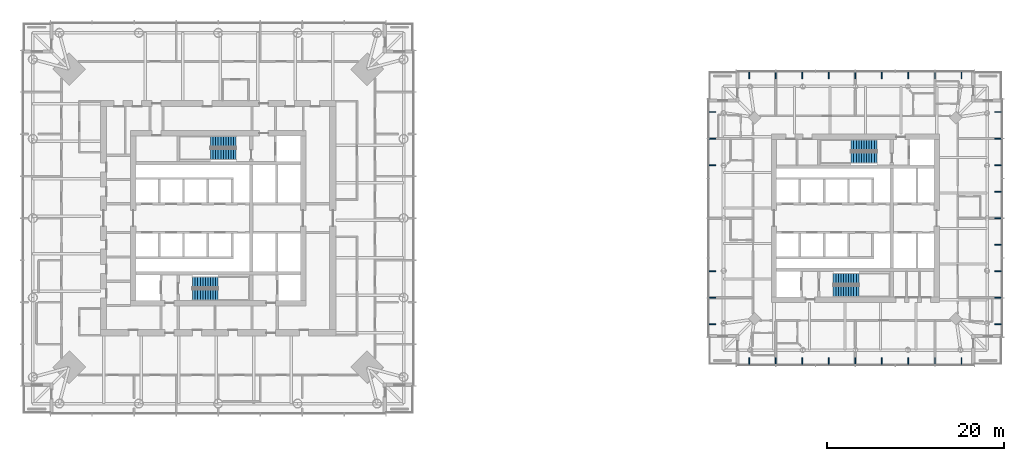
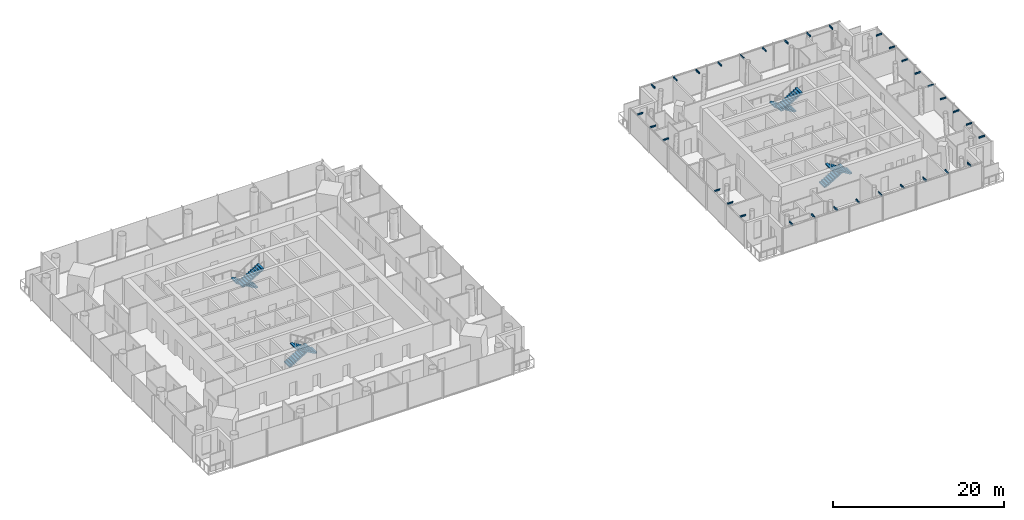
# One storey, part 17 of 19: 33 discrete accessories, 8 stair flights, 4 elements without a shape of their own.
"""IFC4 building model written with IfcOpenShell, lengths in metres."""

from ifc_helpers import new_model, si_unit, direction, frame, origin, origin_2d, place, context, subcontext, project, spatial, polyline, rectangle, outline, extrude, material, type_object, element, aggregate, save


model = new_model("IFC4")

# Units and contexts
model_context = context("Model", 3, precision=1e-05, world=origin(), true_north=direction((0.0, 1.0)))
body_context = subcontext(model_context, "Body", "Model", "MODEL_VIEW")
ifc_project = project(units=[si_unit("LENGTHUNIT", "METRE"), si_unit("AREAUNIT", "SQUARE_METRE"), si_unit("VOLUMEUNIT", "CUBIC_METRE"), si_unit("PLANEANGLEUNIT", "RADIAN"), si_unit("MASSUNIT", "GRAM", prefix="KILO")], contexts=[model_context])

# Site, building, storey
site_placement = place(None, origin())
site = spatial("IfcSite", under=ifc_project, at=site_placement, CompositionType="ELEMENT")
building_placement = place(site_placement, origin())
building = spatial("IfcBuilding", under=site, at=building_placement, Name="Ostroluk Exchange", CompositionType="ELEMENT")
storey_placement = place(building_placement, frame((0.0, 0.0, 116.0)))
storey = spatial("IfcBuildingStorey", under=building, at=storey_placement, Name="L29", CompositionType="ELEMENT", Elevation=116.0)

# Stair, stair flights
ifc_material_1 = material(Name="Concrete C30/37", Category="concrete")
stair_type = type_object("IfcStairType", Name="Exit stair half turn 3800", PredefinedType="HALF_TURN_STAIR", material=ifc_material_1)
stair_1_placement = place(storey_placement, origin())
stair_1 = element("IfcStair", 1, at=stair_1_placement, inside=storey, type_object=stair_type, Name="Stair T1-S1 L29", PredefinedType="HALF_TURN_STAIR")
ifc_material_2 = material(Name="Concrete C30/37", Category="concrete")
stair_flight_type = type_object("IfcStairFlightType", Name="Stair flight 11 risers 172.7 x 290", PredefinedType="STRAIGHT", material=ifc_material_2)
stair_flight_1_placement = place(storey_placement, frame((42.10009765625, 38.77490234375, 0.0), z_axis=(0.0, 0.0, 1.0), x_axis=(1.0, 0.0, 0.0)))
stair_flight_1 = element("IfcStairFlight", 2, at=stair_flight_1_placement, type_object=stair_flight_type, Name="T1-S1 flight 1", NumberOfRisers=11, NumberOfTreads=10, PredefinedType="STRAIGHT", RiserHeight=0.172727273, TreadLength=0.29, context=body_context, shape_type="SweptSolid", body=[
    extrude(outline(polyline([(0.0, 0.0), (0.0, 0.172607421875), (0.2900390625, 0.172607421875), (0.2900390625, 0.345458984375), (0.580078125, 0.345458984375), (0.580078125, 0.51806640625), (0.8701171875, 0.51806640625), (0.8701171875, 0.69091796875), (1.159912109375, 0.69091796875), (1.159912109375, 0.863525390625), (1.449951171875, 0.863525390625), (1.449951171875, 1.036376953125), (1.739990234375, 1.036376953125), (1.739990234375, 1.208984375), (2.030029296875, 1.208984375), (2.030029296875, 1.3818359375), (2.320068359375, 1.3818359375), (2.320068359375, 1.554443359375), (2.610107421875, 1.554443359375), (2.610107421875, 1.727294921875), (2.89990234375, 1.727294921875), (2.89990234375, 1.89990234375), (2.89990234375, 1.552734375), (0.29296875, 0.0), (0.0, 0.0)])), frame((0.0, 0.625, 0.0), z_axis=(0.0, -1.0, 0.0), x_axis=(1.0, 0.0, 0.0)), (0.0, 0.0, 1.0), 1.25),
])
stair_flight_2_placement = place(storey_placement, frame((45.0, 37.324951171875, 1.89990234375), z_axis=(0.0, 0.0, 1.0), x_axis=(-1.0, 0.0, 0.0)))
stair_flight_2 = element("IfcStairFlight", 3, at=stair_flight_2_placement, type_object=stair_flight_type, Name="T1-S1 flight 2", NumberOfRisers=11, NumberOfTreads=10, PredefinedType="STRAIGHT", RiserHeight=0.172727273, TreadLength=0.29, context=body_context, shape_type="SweptSolid", body=[
    extrude(outline(polyline([(0.0, 0.0), (0.0, 0.172607421875), (0.2900390625, 0.172607421875), (0.2900390625, 0.345458984375), (0.580078125, 0.345458984375), (0.580078125, 0.51806640625), (0.8701171875, 0.51806640625), (0.8701171875, 0.69091796875), (1.159912109375, 0.69091796875), (1.159912109375, 0.863525390625), (1.449951171875, 0.863525390625), (1.449951171875, 1.036376953125), (1.739990234375, 1.036376953125), (1.739990234375, 1.208984375), (2.030029296875, 1.208984375), (2.030029296875, 1.3818359375), (2.320068359375, 1.3818359375), (2.320068359375, 1.554443359375), (2.610107421875, 1.554443359375), (2.610107421875, 1.727294921875), (2.89990234375, 1.727294921875), (2.89990234375, 1.89990234375), (2.89990234375, 1.552734375), (0.29296875, 0.0), (0.0, 0.0)])), frame((0.0, 0.625, 0.0), z_axis=(0.0, -1.0, 0.0), x_axis=(1.0, 0.0, 0.0)), (0.0, 0.0, 1.0), 1.25),
])
aggregate(stair_1, [stair_flight_1, stair_flight_2])

stair_2_placement = place(storey_placement, origin())
stair_2 = element("IfcStair", 4, at=stair_2_placement, inside=storey, type_object=stair_type, Name="Stair T1-S2 L29", PredefinedType="HALF_TURN_STAIR")
stair_flight_3_placement = place(storey_placement, frame((47.030029296875, 54.675048828125, 0.0), z_axis=(0.0, 0.0, 1.0), x_axis=(-1.0, 0.0, 0.0)))
stair_flight_3 = element("IfcStairFlight", 5, at=stair_flight_3_placement, type_object=stair_flight_type, Name="T1-S2 flight 1", NumberOfRisers=11, NumberOfTreads=10, PredefinedType="STRAIGHT", RiserHeight=0.172727273, TreadLength=0.29, context=body_context, shape_type="SweptSolid", body=[
    extrude(outline(polyline([(0.0, 0.0), (0.0, 0.172607421875), (0.2900390625, 0.172607421875), (0.2900390625, 0.345458984375), (0.580078125, 0.345458984375), (0.580078125, 0.51806640625), (0.8701171875, 0.51806640625), (0.8701171875, 0.69091796875), (1.159912109375, 0.69091796875), (1.159912109375, 0.863525390625), (1.449951171875, 0.863525390625), (1.449951171875, 1.036376953125), (1.739990234375, 1.036376953125), (1.739990234375, 1.208984375), (2.030029296875, 1.208984375), (2.030029296875, 1.3818359375), (2.320068359375, 1.3818359375), (2.320068359375, 1.554443359375), (2.610107421875, 1.554443359375), (2.610107421875, 1.727294921875), (2.89990234375, 1.727294921875), (2.89990234375, 1.89990234375), (2.89990234375, 1.552734375), (0.29296875, 0.0), (0.0, 0.0)])), frame((0.0, 0.625, 0.0), z_axis=(0.0, -1.0, 0.0), x_axis=(1.0, 0.0, 0.0)), (0.0, 0.0, 1.0), 1.25),
])
stair_flight_4_placement = place(storey_placement, frame((44.1298828125, 53.22509765625, 1.89990234375), z_axis=(0.0, 0.0, 1.0), x_axis=(1.0, 0.0, 0.0)))
stair_flight_4 = element("IfcStairFlight", 6, at=stair_flight_4_placement, type_object=stair_flight_type, Name="T1-S2 flight 2", NumberOfRisers=11, NumberOfTreads=10, PredefinedType="STRAIGHT", RiserHeight=0.172727273, TreadLength=0.29, context=body_context, shape_type="SweptSolid", body=[
    extrude(outline(polyline([(0.0, 0.0), (0.0, 0.172607421875), (0.2900390625, 0.172607421875), (0.2900390625, 0.345458984375), (0.580078125, 0.345458984375), (0.580078125, 0.51806640625), (0.8701171875, 0.51806640625), (0.8701171875, 0.69091796875), (1.159912109375, 0.69091796875), (1.159912109375, 0.863525390625), (1.449951171875, 0.863525390625), (1.449951171875, 1.036376953125), (1.739990234375, 1.036376953125), (1.739990234375, 1.208984375), (2.030029296875, 1.208984375), (2.030029296875, 1.3818359375), (2.320068359375, 1.3818359375), (2.320068359375, 1.554443359375), (2.610107421875, 1.554443359375), (2.610107421875, 1.727294921875), (2.89990234375, 1.727294921875), (2.89990234375, 1.89990234375), (2.89990234375, 1.552734375), (0.29296875, 0.0), (0.0, 0.0)])), frame((0.0, 0.625, 0.0), z_axis=(0.0, -1.0, 0.0), x_axis=(1.0, 0.0, 0.0)), (0.0, 0.0, 1.0), 1.25),
])
aggregate(stair_2, [stair_flight_3, stair_flight_4])

stair_3_placement = place(storey_placement, origin())
stair_3 = element("IfcStair", 7, at=stair_3_placement, inside=storey, type_object=stair_type, Name="Stair T2-S1 L29", PredefinedType="HALF_TURN_STAIR")
stair_flight_5_placement = place(storey_placement, frame((114.5, 39.175048828125, 0.0), z_axis=(0.0, 0.0, 1.0), x_axis=(1.0, 0.0, 0.0)))
stair_flight_5 = element("IfcStairFlight", 8, at=stair_flight_5_placement, type_object=stair_flight_type, Name="T2-S1 flight 1", NumberOfRisers=11, NumberOfTreads=10, PredefinedType="STRAIGHT", RiserHeight=0.172727273, TreadLength=0.29, context=body_context, shape_type="SweptSolid", body=[
    extrude(outline(polyline([(0.0, 0.0), (0.0, 0.172607421875), (0.2900390625, 0.172607421875), (0.2900390625, 0.345458984375), (0.580078125, 0.345458984375), (0.580078125, 0.51806640625), (0.8701171875, 0.51806640625), (0.8701171875, 0.69091796875), (1.159912109375, 0.69091796875), (1.159912109375, 0.863525390625), (1.449951171875, 0.863525390625), (1.449951171875, 1.036376953125), (1.739990234375, 1.036376953125), (1.739990234375, 1.208984375), (2.030029296875, 1.208984375), (2.030029296875, 1.3818359375), (2.320068359375, 1.3818359375), (2.320068359375, 1.554443359375), (2.610107421875, 1.554443359375), (2.610107421875, 1.727294921875), (2.89990234375, 1.727294921875), (2.89990234375, 1.89990234375), (2.89990234375, 1.552734375), (0.29296875, 0.0), (0.0, 0.0)])), frame((0.0, 0.625, 0.0), z_axis=(0.0, -1.0, 0.0), x_axis=(1.0, 0.0, 0.0)), (0.0, 0.0, 1.0), 1.25),
])
stair_flight_6_placement = place(storey_placement, frame((117.39990234375, 37.72509765625, 1.89990234375), z_axis=(0.0, 0.0, 1.0), x_axis=(-1.0, 0.0, 0.0)))
stair_flight_6 = element("IfcStairFlight", 9, at=stair_flight_6_placement, type_object=stair_flight_type, Name="T2-S1 flight 2", NumberOfRisers=11, NumberOfTreads=10, PredefinedType="STRAIGHT", RiserHeight=0.172727273, TreadLength=0.29, context=body_context, shape_type="SweptSolid", body=[
    extrude(outline(polyline([(0.0, 0.0), (0.0, 0.172607421875), (0.2900390625, 0.172607421875), (0.2900390625, 0.345458984375), (0.580078125, 0.345458984375), (0.580078125, 0.51806640625), (0.8701171875, 0.51806640625), (0.8701171875, 0.69091796875), (1.159912109375, 0.69091796875), (1.159912109375, 0.863525390625), (1.449951171875, 0.863525390625), (1.449951171875, 1.036376953125), (1.739990234375, 1.036376953125), (1.739990234375, 1.208984375), (2.030029296875, 1.208984375), (2.030029296875, 1.3818359375), (2.320068359375, 1.3818359375), (2.320068359375, 1.554443359375), (2.610107421875, 1.554443359375), (2.610107421875, 1.727294921875), (2.89990234375, 1.727294921875), (2.89990234375, 1.89990234375), (2.89990234375, 1.552734375), (0.29296875, 0.0), (0.0, 0.0)])), frame((0.0, 0.625, 0.0), z_axis=(0.0, -1.0, 0.0), x_axis=(1.0, 0.0, 0.0)), (0.0, 0.0, 1.0), 1.25),
])
aggregate(stair_3, [stair_flight_5, stair_flight_6])

stair_4_placement = place(storey_placement, origin())
stair_4 = element("IfcStair", 10, at=stair_4_placement, inside=storey, type_object=stair_type, Name="Stair T2-S2 L29", PredefinedType="HALF_TURN_STAIR")
stair_flight_7_placement = place(storey_placement, frame((119.429931640625, 54.27490234375, 0.0), z_axis=(0.0, 0.0, 1.0), x_axis=(-1.0, 0.0, 0.0)))
stair_flight_7 = element("IfcStairFlight", 11, at=stair_flight_7_placement, type_object=stair_flight_type, Name="T2-S2 flight 1", NumberOfRisers=11, NumberOfTreads=10, PredefinedType="STRAIGHT", RiserHeight=0.172727273, TreadLength=0.29, context=body_context, shape_type="SweptSolid", body=[
    extrude(outline(polyline([(0.0, 0.0), (0.0, 0.172607421875), (0.2900390625, 0.172607421875), (0.2900390625, 0.345458984375), (0.580078125, 0.345458984375), (0.580078125, 0.51806640625), (0.8701171875, 0.51806640625), (0.8701171875, 0.69091796875), (1.159912109375, 0.69091796875), (1.159912109375, 0.863525390625), (1.449951171875, 0.863525390625), (1.449951171875, 1.036376953125), (1.739990234375, 1.036376953125), (1.739990234375, 1.208984375), (2.030029296875, 1.208984375), (2.030029296875, 1.3818359375), (2.320068359375, 1.3818359375), (2.320068359375, 1.554443359375), (2.610107421875, 1.554443359375), (2.610107421875, 1.727294921875), (2.89990234375, 1.727294921875), (2.89990234375, 1.89990234375), (2.89990234375, 1.552734375), (0.29296875, 0.0), (0.0, 0.0)])), frame((0.0, 0.625, 0.0), z_axis=(0.0, -1.0, 0.0), x_axis=(1.0, 0.0, 0.0)), (0.0, 0.0, 1.0), 1.25),
])
stair_flight_8_placement = place(storey_placement, frame((116.530029296875, 52.824951171875, 1.89990234375), z_axis=(0.0, 0.0, 1.0), x_axis=(1.0, 0.0, 0.0)))
stair_flight_8 = element("IfcStairFlight", 12, at=stair_flight_8_placement, type_object=stair_flight_type, Name="T2-S2 flight 2", NumberOfRisers=11, NumberOfTreads=10, PredefinedType="STRAIGHT", RiserHeight=0.172727273, TreadLength=0.29, context=body_context, shape_type="SweptSolid", body=[
    extrude(outline(polyline([(0.0, 0.0), (0.0, 0.172607421875), (0.2900390625, 0.172607421875), (0.2900390625, 0.345458984375), (0.580078125, 0.345458984375), (0.580078125, 0.51806640625), (0.8701171875, 0.51806640625), (0.8701171875, 0.69091796875), (1.159912109375, 0.69091796875), (1.159912109375, 0.863525390625), (1.449951171875, 0.863525390625), (1.449951171875, 1.036376953125), (1.739990234375, 1.036376953125), (1.739990234375, 1.208984375), (2.030029296875, 1.208984375), (2.030029296875, 1.3818359375), (2.320068359375, 1.3818359375), (2.320068359375, 1.554443359375), (2.610107421875, 1.554443359375), (2.610107421875, 1.727294921875), (2.89990234375, 1.727294921875), (2.89990234375, 1.89990234375), (2.89990234375, 1.552734375), (0.29296875, 0.0), (0.0, 0.0)])), frame((0.0, 0.625, 0.0), z_axis=(0.0, -1.0, 0.0), x_axis=(1.0, 0.0, 0.0)), (0.0, 0.0, 1.0), 1.25),
])
aggregate(stair_4, [stair_flight_7, stair_flight_8])

# Discrete accessories
ifc_material_3 = material(Name="Steel S355", Category="steel")
discrete_accessory_type = type_object("IfcDiscreteAccessoryType", Name="Maintenance roof bracket", PredefinedType="BRACKET", material=ifc_material_3)
for number, where, z_axis, x_axis, name in (
    (13, (105.0, 29.875, 3.4501953125), (0.0, 0.0, 1.0), (1.0, 0.0, 0.0), "Maintenance roof bracket L30 south 1"),
    (14, (108.0, 29.875, 3.4501953125), (0.0, 0.0, 1.0), (1.0, 0.0, 0.0), "Maintenance roof bracket L30 south 2"),
    (15, (111.0, 29.875, 3.4501953125), (0.0, 0.0, 1.0), (1.0, 0.0, 0.0), "Maintenance roof bracket L30 south 3"),
    (16, (114.0, 29.875, 3.4501953125), (0.0, 0.0, 1.0), (1.0, 0.0, 0.0), "Maintenance roof bracket L30 south 4"),
    (17, (117.0, 29.875, 3.4501953125), (0.0, 0.0, 1.0), (1.0, 0.0, 0.0), "Maintenance roof bracket L30 south 5"),
    (18, (120.0, 29.875, 3.4501953125), (0.0, 0.0, 1.0), (1.0, 0.0, 0.0), "Maintenance roof bracket L30 south 6"),
    (19, (123.0, 29.875, 3.4501953125), (0.0, 0.0, 1.0), (1.0, 0.0, 0.0), "Maintenance roof bracket L30 south 7"),
    (20, (126.0, 29.875, 3.4501953125), (0.0, 0.0, 1.0), (1.0, 0.0, 0.0), "Maintenance roof bracket L30 south 8"),
    (21, (129.0, 29.875, 3.4501953125), (0.0, 0.0, 1.0), (1.0, 0.0, 0.0), "Maintenance roof bracket L30 south 9"),
):
    element("IfcDiscreteAccessory", number, at=place(storey_placement, frame(where, z_axis=z_axis, x_axis=x_axis)), inside=storey, type_object=discrete_accessory_type, Name=name, PredefinedType="BRACKET", context=body_context, shape_type="SweptSolid", body=[
        extrude(rectangle(XDim=0.10009765625, YDim=0.75, at=origin_2d()), origin(), (0.0, 0.0, 1.0), 0.199951171875),
    ])
for number, where, z_axis, x_axis, name in (
    (22, (133.125, 34.0, 3.4501953125), (0.0, 0.0, 1.0), (1.0, 0.0, 0.0), "Maintenance roof bracket L30 east 1"),
    (23, (133.125, 37.0, 3.4501953125), (0.0, 0.0, 1.0), (1.0, 0.0, 0.0), "Maintenance roof bracket L30 east 2"),
    (24, (133.125, 40.0, 3.4501953125), (0.0, 0.0, 1.0), (1.0, 0.0, 0.0), "Maintenance roof bracket L30 east 3"),
    (25, (133.125, 43.0, 3.4501953125), (0.0, 0.0, 1.0), (1.0, 0.0, 0.0), "Maintenance roof bracket L30 east 4"),
    (26, (133.125, 46.0, 3.4501953125), (0.0, 0.0, 1.0), (1.0, 0.0, 0.0), "Maintenance roof bracket L30 east 5"),
    (27, (133.125, 49.0, 3.4501953125), (0.0, 0.0, 1.0), (1.0, 0.0, 0.0), "Maintenance roof bracket L30 east 6"),
    (28, (133.125, 52.0, 3.4501953125), (0.0, 0.0, 1.0), (1.0, 0.0, 0.0), "Maintenance roof bracket L30 east 7"),
    (29, (133.125, 55.0, 3.4501953125), (0.0, 0.0, 1.0), (1.0, 0.0, 0.0), "Maintenance roof bracket L30 east 8"),
    (30, (133.125, 58.0, 3.4501953125), (0.0, 0.0, 1.0), (1.0, 0.0, 0.0), "Maintenance roof bracket L30 east 9"),
):
    element("IfcDiscreteAccessory", number, at=place(storey_placement, frame(where, z_axis=z_axis, x_axis=x_axis)), inside=storey, type_object=discrete_accessory_type, Name=name, PredefinedType="BRACKET", context=body_context, shape_type="SweptSolid", body=[
        extrude(rectangle(XDim=0.75, YDim=0.10009765625, at=origin_2d()), origin(), (0.0, 0.0, 1.0), 0.199951171875),
    ])
for number, where, z_axis, x_axis, name in (
    (31, (105.0, 62.125, 3.4501953125), (0.0, 0.0, 1.0), (1.0, 0.0, 0.0), "Maintenance roof bracket L30 north 1"),
    (32, (108.0, 62.125, 3.4501953125), (0.0, 0.0, 1.0), (1.0, 0.0, 0.0), "Maintenance roof bracket L30 north 2"),
    (33, (111.0, 62.125, 3.4501953125), (0.0, 0.0, 1.0), (1.0, 0.0, 0.0), "Maintenance roof bracket L30 north 3"),
    (34, (114.0, 62.125, 3.4501953125), (0.0, 0.0, 1.0), (1.0, 0.0, 0.0), "Maintenance roof bracket L30 north 4"),
    (35, (117.0, 62.125, 3.4501953125), (0.0, 0.0, 1.0), (1.0, 0.0, 0.0), "Maintenance roof bracket L30 north 5"),
    (36, (120.0, 62.125, 3.4501953125), (0.0, 0.0, 1.0), (1.0, 0.0, 0.0), "Maintenance roof bracket L30 north 6"),
    (37, (123.0, 62.125, 3.4501953125), (0.0, 0.0, 1.0), (1.0, 0.0, 0.0), "Maintenance roof bracket L30 north 7"),
    (38, (126.0, 62.125, 3.4501953125), (0.0, 0.0, 1.0), (1.0, 0.0, 0.0), "Maintenance roof bracket L30 north 8"),
    (39, (129.0, 62.125, 3.4501953125), (0.0, 0.0, 1.0), (1.0, 0.0, 0.0), "Maintenance roof bracket L30 north 9"),
):
    element("IfcDiscreteAccessory", number, at=place(storey_placement, frame(where, z_axis=z_axis, x_axis=x_axis)), inside=storey, type_object=discrete_accessory_type, Name=name, PredefinedType="BRACKET", context=body_context, shape_type="SweptSolid", body=[
        extrude(rectangle(XDim=0.10009765625, YDim=0.75, at=origin_2d()), origin(), (0.0, 0.0, 1.0), 0.199951171875),
    ])
for number, where, z_axis, x_axis, name in (
    (40, (100.875, 34.0, 3.4501953125), (0.0, 0.0, 1.0), (1.0, 0.0, 0.0), "Maintenance roof bracket L30 west 1"),
    (41, (100.875, 37.0, 3.4501953125), (0.0, 0.0, 1.0), (1.0, 0.0, 0.0), "Maintenance roof bracket L30 west 2"),
    (42, (100.875, 40.0, 3.4501953125), (0.0, 0.0, 1.0), (1.0, 0.0, 0.0), "Maintenance roof bracket L30 west 3"),
    (43, (100.875, 52.0, 3.4501953125), (0.0, 0.0, 1.0), (1.0, 0.0, 0.0), "Maintenance roof bracket L30 west 7"),
    (44, (100.875, 55.0, 3.4501953125), (0.0, 0.0, 1.0), (1.0, 0.0, 0.0), "Maintenance roof bracket L30 west 8"),
    (45, (100.875, 58.0, 3.4501953125), (0.0, 0.0, 1.0), (1.0, 0.0, 0.0), "Maintenance roof bracket L30 west 9"),
):
    element("IfcDiscreteAccessory", number, at=place(storey_placement, frame(where, z_axis=z_axis, x_axis=x_axis)), inside=storey, type_object=discrete_accessory_type, Name=name, PredefinedType="BRACKET", context=body_context, shape_type="SweptSolid", body=[
        extrude(rectangle(XDim=0.75, YDim=0.10009765625, at=origin_2d()), origin(), (0.0, 0.0, 1.0), 0.199951171875),
    ])

save(model, "model.ifc")
